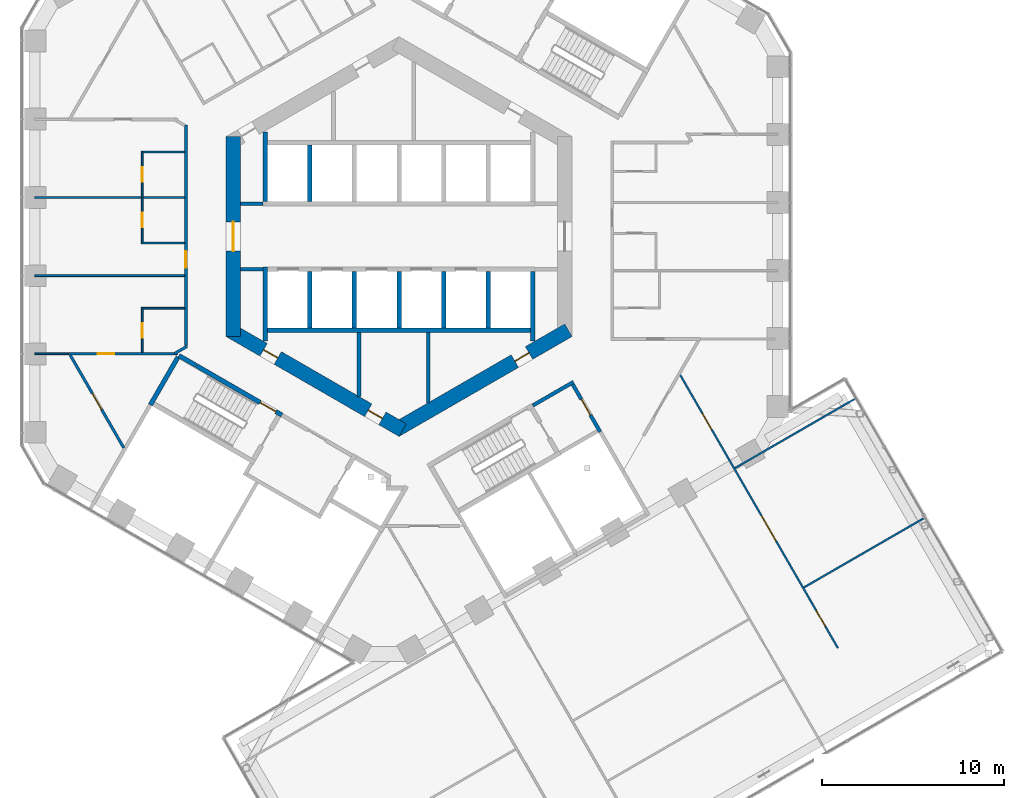
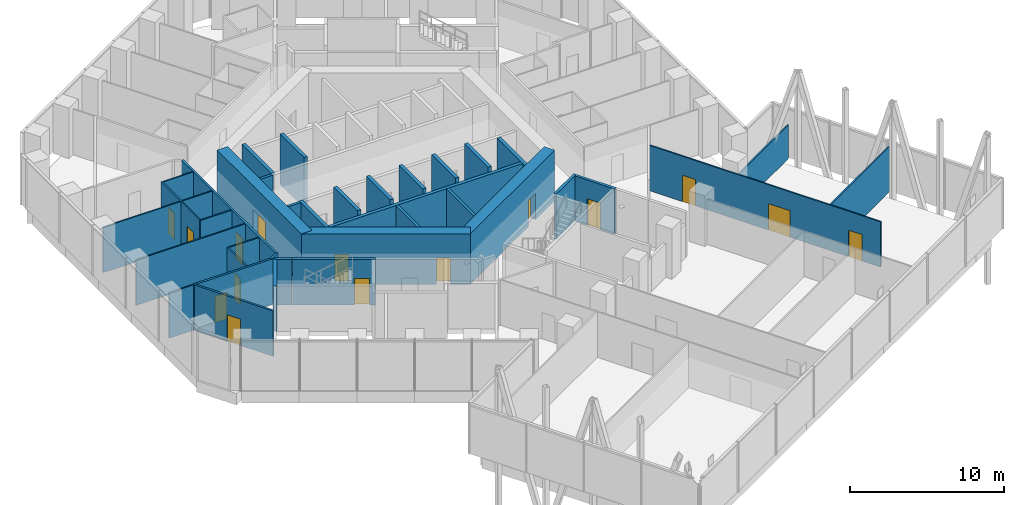
# One storey, part 19 of 27: 37 walls, 15 doors, 15 openings.
"""IFC4 building model written with IfcOpenShell, lengths in metres."""

import ifcopenshell
import ifcopenshell.guid

model = None  # the IFC model being written
_history = None  # IfcOwnerHistory: only IFC2X3 demands one
_inside = {}  # id of a spatial element -> (the spatial element, [elements in it])
_under = {}  # id of a project, library or spatial element -> (it, [spatial elements below it])
_declared = {}  # id of a project -> (the project, [libraries it declares])
_typed = {}  # id of a type object -> (the type object, [elements of that type])
_made_of = {}  # id of a material, layer set ... -> (it, [elements and type objects made of it])


def new_model(schema):
    """Start an empty IFC model of exactly this schema.

    Asked for "IFC4X3", IfcOpenShell would pick the latest addendum, in which some entities
    have other attributes; the version numbers below select the first issue.
    IFC2X3 requires an IfcOwnerHistory on every rooted entity: one is made here for all.
    """
    global model, _history
    if schema == "IFC4X3":
        model = ifcopenshell.file(schema_version=(4, 3, 0, 0))
    else:
        model = ifcopenshell.file(schema=schema)
    _inside.clear()
    _under.clear()
    _declared.clear()
    _typed.clear()
    _made_of.clear()
    _history = None
    if model.schema == "IFC2X3":
        org = make("IfcOrganization", Name="unknown")
        user = make(
            "IfcPersonAndOrganization",
            ThePerson=make("IfcPerson", FamilyName="unknown"),
            TheOrganization=org,
        )
        app = make(
            "IfcApplication",
            ApplicationDeveloper=org,
            Version="unknown",
            ApplicationFullName="unknown",
            ApplicationIdentifier="unknown",
        )
        _history = make(
            "IfcOwnerHistory",
            OwningUser=user,
            OwningApplication=app,
            ChangeAction="ADDED",
            CreationDate=0,
        )
    return model


def make(cls, **values):
    """One entity of the class cls with the attributes given. An attribute that is None is left unset."""
    return model.create_entity(
        cls, **{name: value for name, value in values.items() if value is not None}
    )


def rooted(cls, **values):
    """An entity with a GlobalId (a new one), such as an element, a storey or a relation."""
    return make(cls, GlobalId=ifcopenshell.guid.new(), OwnerHistory=_history, **values)


def si_unit(unit_type, name, prefix=None):
    """IfcSIUnit, for example si_unit("LENGTHUNIT", "METRE", prefix="MILLI")."""
    return make("IfcSIUnit", UnitType=unit_type, Prefix=prefix, Name=name)


def assignment(units):
    """IfcUnitAssignment: the units of a project."""
    return None if units is None else make("IfcUnitAssignment", Units=units)


def point(xyz):
    """IfcCartesianPoint."""
    return None if xyz is None else make("IfcCartesianPoint", Coordinates=xyz)


def direction(xyz):
    """IfcDirection."""
    return None if xyz is None else make("IfcDirection", DirectionRatios=xyz)


def frame(location, z_axis=None, x_axis=None):
    """IfcAxis2Placement3D, a coordinate frame: its origin and axes. An axis left out is left unset."""
    return make(
        "IfcAxis2Placement3D",
        Location=point(location),
        Axis=direction(z_axis),
        RefDirection=direction(x_axis),
    )


def frame_2d(location, x_axis=None):
    """IfcAxis2Placement2D, a coordinate frame in the plane: its origin and x axis."""
    return make(
        "IfcAxis2Placement2D", Location=point(location), RefDirection=direction(x_axis)
    )


def origin():
    """The frame at (0, 0, 0) with its axes left unset."""
    return frame((0.0, 0.0, 0.0))


def place(relative_to, where):
    """IfcLocalPlacement: puts the frame where relative to a parent placement (None: the world)."""
    return make(
        "IfcLocalPlacement", PlacementRelTo=relative_to, RelativePlacement=where
    )


def context(
    kind, dimensions, precision=None, world=None, true_north=None, identifier=None
):
    """IfcGeometricRepresentationContext, for example the 3D "Model" context."""
    return make(
        "IfcGeometricRepresentationContext",
        ContextIdentifier=identifier,
        ContextType=kind,
        CoordinateSpaceDimension=dimensions,
        Precision=precision,
        WorldCoordinateSystem=world,
        TrueNorth=true_north,
    )


def subcontext(parent, identifier, kind, view, scale=None):
    """IfcGeometricRepresentationSubContext, for example "Body" below "Model"."""
    return make(
        "IfcGeometricRepresentationSubContext",
        ContextIdentifier=identifier,
        ContextType=kind,
        ParentContext=parent,
        TargetScale=scale,
        TargetView=view,
    )


def project(units=None, contexts=None):
    """IfcProject with its units and contexts."""
    return rooted(
        "IfcProject",
        Name="project",
        RepresentationContexts=contexts,
        UnitsInContext=assignment(units),
    )


def spatial(cls, under=None, at=None, **own):
    """A site, building, storey or space (cls), placed at a placement, below another one or the project."""
    s = rooted(cls, ObjectPlacement=at, **own)
    if under is not None:
        _under.setdefault(under.id(), (under, []))[1].append(s)
    return s


def profile(cls, at=None, kind="AREA", **sizes):
    """A parametric profile (cls). Its sizes go by their IFC names, for example OverallWidth=200.0."""
    return make(cls, ProfileType=kind, Position=at, **sizes)


def rectangle(**sizes):
    """IfcRectangleProfileDef."""
    return profile("IfcRectangleProfileDef", **sizes)


def extrude(swept, where, along, depth):
    """IfcExtrudedAreaSolid: the profile swept, set in the frame where, extruded along a direction by depth."""
    return make(
        "IfcExtrudedAreaSolid",
        SweptArea=swept,
        Position=where,
        ExtrudedDirection=direction(along),
        Depth=depth,
    )


def shape(context_of_items, identifier, shape_type, items):
    """IfcShapeRepresentation: the items that make up one representation, for example the "Body"."""
    return make(
        "IfcShapeRepresentation",
        ContextOfItems=context_of_items,
        RepresentationIdentifier=identifier,
        RepresentationType=shape_type,
        Items=items,
    )


def material(Name=None, Category=None):
    """IfcMaterial."""
    return make("IfcMaterial", Name=Name, Category=Category)


def layer(
    of_material, thickness, ventilated=None, Name=None, Category=None, Priority=None
):
    """IfcMaterialLayer: one layer of a wall or slab, of a material (None: an air gap)."""
    return make(
        "IfcMaterialLayer",
        Material=of_material,
        LayerThickness=thickness,
        IsVentilated=ventilated,
        Name=Name,
        Category=Category,
        Priority=Priority,
    )


def layer_set(layers, Name=None):
    """IfcMaterialLayerSet."""
    return make("IfcMaterialLayerSet", MaterialLayers=layers, LayerSetName=Name)


def made_of(thing, what):
    """Note that an element or type object is made of a material, layer set ...; save() writes the relation."""
    if what is not None:
        _made_of.setdefault(what.id(), (what, []))[1].append(thing)
    return thing


def type_object(cls, material=None, **own):
    """A type object (cls), such as IfcWallType, which elements share."""
    return made_of(rooted(cls, **own), material)


def element(
    cls,
    number,
    at=None,
    inside=None,
    cuts=None,
    type_object=None,
    material=None,
    context=None,
    identifier="Body",
    shape_type=None,
    held_by="IfcProductDefinitionShape",
    body=None,
    shapes=None,
    **own,
):
    """One element of the class cls, such as IfcWall. Its Tag is "e" and its number.

    at: its placement. inside: the storey or other place that contains it. cuts: it is an
    opening in that element (IfcRelVoidsElement). A single representation is given by context,
    identifier, shape_type and body (its items); several are given by shapes. held_by: the class
    of the entity that holds the representations. save() writes the other relations.
    """
    e = rooted(cls, Tag="e%d" % number, ObjectPlacement=at, **own)
    if body is not None:
        shapes = [shape(context, identifier, shape_type, body)]
    if shapes is not None:
        e.Representation = make(held_by, Representations=shapes)
    if inside is not None:
        _inside.setdefault(inside.id(), (inside, []))[1].append(e)
    if cuts is not None:
        rooted(
            "IfcRelVoidsElement", RelatingBuildingElement=cuts, RelatedOpeningElement=e
        )
    if type_object is not None:
        _typed.setdefault(type_object.id(), (type_object, []))[1].append(e)
    return made_of(e, material)


def fill(opening, filler):
    """IfcRelFillsElement: the door or window that sits in an opening."""
    return rooted(
        "IfcRelFillsElement",
        RelatingOpeningElement=opening,
        RelatedBuildingElement=filler,
    )


def aggregate(whole, parts):
    """IfcRelAggregates: a whole, such as a stair, and the parts it consists of."""
    return rooted("IfcRelAggregates", RelatingObject=whole, RelatedObjects=parts)


def save(model, path):
    """Write the relations noted so far, then the file.

    IfcRelAggregates (storeys below a building ...), IfcRelContainedInSpatialStructure (elements
    in a storey), IfcRelDefinesByType, IfcRelAssociatesMaterial and IfcRelDeclares: one each for
    every whole, place, type object, material and project.
    """
    for whole, parts in _under.values():
        aggregate(whole, parts)
    for where, things in _inside.values():
        rooted(
            "IfcRelContainedInSpatialStructure",
            RelatedElements=things,
            RelatingStructure=where,
        )
    for kind, things in _typed.values():
        rooted("IfcRelDefinesByType", RelatedObjects=things, RelatingType=kind)
    for what, things in _made_of.values():
        rooted("IfcRelAssociatesMaterial", RelatedObjects=things, RelatingMaterial=what)
    for by, libraries in _declared.values():
        rooted("IfcRelDeclares", RelatingContext=by, RelatedDefinitions=libraries)
    model.write(path)


model = new_model("IFC4")

# Units and contexts
model_context = context("Model", 3, precision=1e-05, world=origin(), true_north=direction((0.0, 1.0)))
body_context = subcontext(model_context, "Body", "Model", "MODEL_VIEW")
ifc_project = project(units=[si_unit("LENGTHUNIT", "METRE"), si_unit("AREAUNIT", "SQUARE_METRE"), si_unit("VOLUMEUNIT", "CUBIC_METRE"), si_unit("PLANEANGLEUNIT", "RADIAN"), si_unit("MASSUNIT", "GRAM", prefix="KILO")], contexts=[model_context])

# Site, building, storey
site_placement = place(None, origin())
site = spatial("IfcSite", under=ifc_project, at=site_placement, CompositionType="ELEMENT")
building_placement = place(site_placement, origin())
building = spatial("IfcBuilding", under=site, at=building_placement, Name="Ayvan Gate Tower", CompositionType="ELEMENT")
storey_placement = place(building_placement, frame((0.0, 0.0, 70.300048828125)))
storey = spatial("IfcBuildingStorey", under=building, at=storey_placement, Name="L18", CompositionType="ELEMENT", Elevation=70.300048828125)

# Wall, opening, door
ifc_material_1 = material(Name="Concrete C70/85", Category="concrete")
ifc_layer_1 = layer(ifc_material_1, 0.800048828125)
ifc_layer_set_1 = layer_set([ifc_layer_1], Name="Concrete C70/85")
wall_type_1 = type_object("IfcWallType", Name="Core wall 800 C70/85", PredefinedType="SHEAR", material=ifc_layer_set_1)
wall_1_placement = place(storey_placement, frame((-9.10009765625, 5.48486328125, 0.0), z_axis=(0.0, 0.0, 1.0), x_axis=(0.0, -1.0, 0.0)))
wall_1 = element("IfcWall", 1, at=wall_1_placement, inside=storey, type_object=wall_type_1, Name="CORE-L18-3", PredefinedType="SHEAR", context=body_context, shape_type="SweptSolid", body=[
    extrude(rectangle(XDim=10.9697265625, YDim=0.800048828125, at=frame_2d((5.48486328125, 0.0))), origin(), (0.0, 0.0, 1.0), 4.0),
])
opening_1_placement = place(wall_1_placement, frame((4.684814453125, 0.0, 0.0)))
opening_1 = element("IfcOpeningElement", 2, at=opening_1_placement, cuts=wall_1, Name="Opening L18-D58", PredefinedType="OPENING", context=body_context, shape_type="SweptSolid", body=[
    extrude(rectangle(XDim=1.60009765625, YDim=2.10009765625, at=frame_2d((0.800048828125, 1.050048828125))), frame((0.0, 0.409912109375, 0.0), z_axis=(0.0, -1.0, 0.0), x_axis=(1.0, 0.0, 0.0)), (0.0, 0.0, 1.0), 0.820068359375),
])
ifc_material_2 = material(Name="Timber door leaf", Category="wood")
door_type_1 = type_object("IfcDoorType", Name="DT-1600", OperationType="NOTDEFINED", PredefinedType="DOOR", material=ifc_material_2)
door_1_placement = place(opening_1_placement, origin())
door_1 = element("IfcDoor", 3, at=door_1_placement, inside=storey, type_object=door_type_1, Name="CD-L18-58", OperationType="SINGLE_SWING_RIGHT", OverallHeight=2.10009765625, OverallWidth=1.60009765625, PredefinedType="DOOR", context=body_context, shape_type="SweptSolid", body=[
    extrude(rectangle(XDim=1.60009765625, YDim=2.10009765625, at=frame_2d((0.800048828125, 1.050048828125))), frame((0.0, 0.02490234375, 0.0), z_axis=(0.0, -1.0, 0.0), x_axis=(1.0, 0.0, 0.0)), (0.0, 0.0, 1.0), 0.050048828125),
])
fill(opening_1, door_1)

# Wall, openings, doors
wall_2_placement = place(storey_placement, frame((-9.300048828125, -5.138427734375, 0.0), z_axis=(0.0, 0.0, 1.0), x_axis=(0.866023993627, -0.500002442456, 0.0)))
wall_2 = element("IfcWall", 4, at=wall_2_placement, inside=storey, type_object=wall_type_1, Name="CORE-L18-4", PredefinedType="SHEAR", context=body_context, shape_type="SweptSolid", body=[
    extrude(rectangle(XDim=10.9697265625, YDim=0.800048828125, at=frame_2d((5.48486328125, 0.0))), origin(), (0.0, 0.0, 1.0), 4.0),
])
opening_2_placement = place(wall_2_placement, frame((2.1533203125, 0.0, 0.0)))
opening_2 = element("IfcOpeningElement", 5, at=opening_2_placement, cuts=wall_2, Name="Opening L18-D54", PredefinedType="OPENING", context=body_context, shape_type="SweptSolid", body=[
    extrude(rectangle(XDim=0.89990234375, YDim=2.10009765625, at=frame_2d((0.449951171875, 1.050048828125))), frame((0.0, 0.409912109375, 0.0), z_axis=(0.0, -1.0, 0.0), x_axis=(1.0, 0.0, 0.0)), (0.0, 0.0, 1.0), 0.820068359375),
])
opening_3_placement = place(wall_2_placement, frame((8.787109375, 0.0, 0.0)))
opening_3 = element("IfcOpeningElement", 6, at=opening_3_placement, cuts=wall_2, Name="Opening L18-D55", PredefinedType="OPENING", context=body_context, shape_type="SweptSolid", body=[
    extrude(rectangle(XDim=0.89990234375, YDim=2.10009765625, at=frame_2d((0.449951171875, 1.050048828125))), frame((0.0, 0.409912109375, 0.0), z_axis=(0.0, -1.0, 0.0), x_axis=(1.0, 0.0, 0.0)), (0.0, 0.0, 1.0), 0.820068359375),
])
door_type_2 = type_object("IfcDoorType", Name="DT-900", OperationType="NOTDEFINED", PredefinedType="DOOR", material=ifc_material_2)
door_2_placement = place(opening_2_placement, origin())
door_2 = element("IfcDoor", 7, at=door_2_placement, inside=storey, type_object=door_type_2, Name="CD-L18-54", OperationType="SINGLE_SWING_RIGHT", OverallHeight=2.10009765625, OverallWidth=0.89990234375, PredefinedType="DOOR", context=body_context, shape_type="SweptSolid", body=[
    extrude(rectangle(XDim=0.89990234375, YDim=2.10009765625, at=frame_2d((0.449951171875, 1.050048828125))), frame((0.0, 0.02490234375, 0.0), z_axis=(0.0, -1.0, 0.0), x_axis=(1.0, 0.0, 0.0)), (0.0, 0.0, 1.0), 0.050048828125),
])
fill(opening_2, door_2)
door_3_placement = place(opening_3_placement, origin())
door_3 = element("IfcDoor", 8, at=door_3_placement, inside=storey, type_object=door_type_2, Name="CD-L18-55", OperationType="SINGLE_SWING_LEFT", OverallHeight=2.10009765625, OverallWidth=0.89990234375, PredefinedType="DOOR", context=body_context, shape_type="SweptSolid", body=[
    extrude(rectangle(XDim=0.89990234375, YDim=2.10009765625, at=frame_2d((0.449951171875, 1.050048828125))), frame((0.0, 0.02490234375, 0.0), z_axis=(0.0, -1.0, 0.0), x_axis=(1.0, 0.0, 0.0)), (0.0, 0.0, 1.0), 0.050048828125),
])
fill(opening_3, door_3)

# Wall, opening, door
wall_3_placement = place(storey_placement, frame((-0.199951171875, -10.623291015625, 0.0), z_axis=(0.0, 0.0, 1.0), x_axis=(0.866023993627, 0.500002442456, 0.0)))
wall_3 = element("IfcWall", 9, at=wall_3_placement, inside=storey, type_object=wall_type_1, Name="CORE-L18-5", PredefinedType="SHEAR", context=body_context, shape_type="SweptSolid", body=[
    extrude(rectangle(XDim=10.9697265625, YDim=0.800048828125, at=frame_2d((5.48486328125, 0.0))), origin(), (0.0, 0.0, 1.0), 4.0),
])
opening_4_placement = place(wall_3_placement, frame((7.570068359375, 0.0, 0.0)))
opening_4 = element("IfcOpeningElement", 10, at=opening_4_placement, cuts=wall_3, Name="Opening L18-D56", PredefinedType="OPENING", context=body_context, shape_type="SweptSolid", body=[
    extrude(rectangle(XDim=0.89990234375, YDim=2.10009765625, at=frame_2d((0.449951171875, 1.050048828125))), frame((0.0, 0.409912109375, 0.0), z_axis=(0.0, -1.0, 0.0), x_axis=(1.0, 0.0, 0.0)), (0.0, 0.0, 1.0), 0.820068359375),
])
door_4_placement = place(opening_4_placement, origin())
door_4 = element("IfcDoor", 11, at=door_4_placement, inside=storey, type_object=door_type_2, Name="CD-L18-56", OperationType="SINGLE_SWING_RIGHT", OverallHeight=2.10009765625, OverallWidth=0.89990234375, PredefinedType="DOOR", context=body_context, shape_type="SweptSolid", body=[
    extrude(rectangle(XDim=0.89990234375, YDim=2.10009765625, at=frame_2d((0.449951171875, 1.050048828125))), frame((0.0, 0.02490234375, 0.0), z_axis=(0.0, -1.0, 0.0), x_axis=(1.0, 0.0, 0.0)), (0.0, 0.0, 1.0), 0.050048828125),
])
fill(opening_4, door_4)

ifc_material_3 = material(Name="Plasterboard on steel stud", Category="steel")
ifc_layer_2 = layer(ifc_material_3, 0.14990234375)
ifc_layer_set_2 = layer_set([ifc_layer_2], Name="Plasterboard on steel stud")
wall_type_2 = type_object("IfcWallType", Name="WT-CORR-150", PredefinedType="PARTITIONING", material=ifc_layer_set_2)
wall_4_placement = place(storey_placement, frame((-18.16748046875, -6.431640625, 0.0), z_axis=(0.0, 0.0, 1.0), x_axis=(1.0, 0.0, 0.0)))
wall_4 = element("IfcWall", 12, at=wall_4_placement, inside=storey, type_object=wall_type_2, Name="IW-L18-003", PredefinedType="PARTITIONING", context=body_context, shape_type="SweptSolid", body=[
    extrude(rectangle(XDim=6.00927734375, YDim=0.14990234375, at=frame_2d((3.004638671875, 0.0))), origin(), (0.0, 0.0, 1.0), 3.599853515625),
])
opening_5_placement = place(wall_4_placement, frame((1.62353515625, 0.0, 0.0)))
opening_5 = element("IfcOpeningElement", 13, at=opening_5_placement, cuts=wall_4, Name="Opening L18-D31", PredefinedType="OPENING", context=body_context, shape_type="SweptSolid", body=[
    extrude(rectangle(XDim=0.89990234375, YDim=2.10009765625, at=frame_2d((0.449951171875, 1.050048828125))), frame((0.0, 0.0849609375, 0.0), z_axis=(0.0, -1.0, 0.0), x_axis=(1.0, 0.0, 0.0)), (0.0, 0.0, 1.0), 0.169921875),
])
door_5_placement = place(opening_5_placement, origin())
door_5 = element("IfcDoor", 14, at=door_5_placement, inside=storey, type_object=door_type_2, Name="ID-L18-031", OperationType="SINGLE_SWING_LEFT", OverallHeight=2.10009765625, OverallWidth=0.89990234375, PredefinedType="DOOR", context=body_context, shape_type="SweptSolid", body=[
    extrude(rectangle(XDim=0.89990234375, YDim=2.10009765625, at=frame_2d((0.449951171875, 1.050048828125))), frame((0.0, 0.02490234375, 0.0), z_axis=(0.0, -1.0, 0.0), x_axis=(1.0, 0.0, 0.0)), (0.0, 0.0, 1.0), 0.050048828125),
])
fill(opening_5, door_5)

wall_5_placement = place(storey_placement, frame((-15.10986328125, -11.597900390625, 0.0), z_axis=(0.0, 0.0, 1.0), x_axis=(-0.499977187055, 0.866038574444, 0.0)))
wall_5 = element("IfcWall", 15, at=wall_5_placement, inside=storey, type_object=wall_type_2, Name="IW-L18-006", PredefinedType="PARTITIONING", context=body_context, shape_type="SweptSolid", body=[
    extrude(rectangle(XDim=5.890380859375, YDim=0.14990234375, at=frame_2d((2.9453125, 0.0))), origin(), (0.0, 0.0, 1.0), 3.599853515625),
])
opening_6_placement = place(wall_5_placement, frame((2.4453125, 0.0, 0.0)))
opening_6 = element("IfcOpeningElement", 16, at=opening_6_placement, cuts=wall_5, Name="Opening L18-D33", PredefinedType="OPENING", context=body_context, shape_type="SweptSolid", body=[
    extrude(rectangle(XDim=1.0, YDim=2.10009765625, at=frame_2d((0.5, 1.050048828125))), frame((0.0, 0.0849609375, 0.0), z_axis=(0.0, -1.0, 0.0), x_axis=(1.0, 0.0, 0.0)), (0.0, 0.0, 1.0), 0.169921875),
])
door_type_3 = type_object("IfcDoorType", Name="DT-1000", OperationType="NOTDEFINED", PredefinedType="DOOR", material=ifc_material_2)
door_6_placement = place(opening_6_placement, origin())
door_6 = element("IfcDoor", 17, at=door_6_placement, inside=storey, type_object=door_type_3, Name="ID-L18-033", OperationType="SINGLE_SWING_LEFT", OverallHeight=2.10009765625, OverallWidth=1.0, PredefinedType="DOOR", context=body_context, shape_type="SweptSolid", body=[
    extrude(rectangle(XDim=1.0, YDim=2.10009765625, at=frame_2d((0.5, 1.050048828125))), frame((0.0, 0.02490234375, 0.0), z_axis=(0.0, -1.0, 0.0), x_axis=(1.0, 0.0, 0.0)), (0.0, 0.0, 1.0), 0.050048828125),
])
fill(opening_6, door_6)

# Wall
wall_6_placement = place(storey_placement, frame((-12.32470703125, -6.4228515625, 0.0), z_axis=(0.0, 0.0, 1.0), x_axis=(0.86602732995, 0.499996663769, 0.0)))
element("IfcWall", 18, at=wall_6_placement, inside=storey, type_object=wall_type_2, Name="IW-L18-014", PredefinedType="PARTITIONING", context=body_context, shape_type="SweptSolid", body=[
    extrude(rectangle(XDim=0.79638671875, YDim=0.14990234375, at=frame_2d((0.398193359375, 0.0))), origin(), (0.0, 0.0, 1.0), 3.599853515625),
])

# Wall, opening, door
wall_7_placement = place(storey_placement, frame((-11.699951171875, 6.13720703125, 0.0), z_axis=(0.0, 0.0, 1.0), x_axis=(0.0, -1.0, 0.0)))
wall_7 = element("IfcWall", 19, at=wall_7_placement, inside=storey, type_object=wall_type_2, Name="IW-L18-020", PredefinedType="PARTITIONING", context=body_context, shape_type="SweptSolid", body=[
    extrude(rectangle(XDim=12.12451171875, YDim=0.14990234375, at=frame_2d((6.062255859375, 0.0))), origin(), (0.0, 0.0, 1.0), 3.599853515625),
])
opening_7_placement = place(wall_7_placement, frame((6.937255859375, 0.0, 0.0)))
opening_7 = element("IfcOpeningElement", 20, at=opening_7_placement, cuts=wall_7, Name="Opening L18-D29", PredefinedType="OPENING", context=body_context, shape_type="SweptSolid", body=[
    extrude(rectangle(XDim=0.89990234375, YDim=2.10009765625, at=frame_2d((0.449951171875, 1.050048828125))), frame((0.0, 0.0849609375, 0.0), z_axis=(0.0, -1.0, 0.0), x_axis=(1.0, 0.0, 0.0)), (0.0, 0.0, 1.0), 0.169921875),
])
door_7_placement = place(opening_7_placement, origin())
door_7 = element("IfcDoor", 21, at=door_7_placement, inside=storey, type_object=door_type_2, Name="ID-L18-029", OperationType="SINGLE_SWING_LEFT", OverallHeight=2.10009765625, OverallWidth=0.89990234375, PredefinedType="DOOR", context=body_context, shape_type="SweptSolid", body=[
    extrude(rectangle(XDim=0.89990234375, YDim=2.10009765625, at=frame_2d((0.449951171875, 1.050048828125))), frame((0.0, 0.02490234375, 0.0), z_axis=(0.0, -1.0, 0.0), x_axis=(1.0, 0.0, 0.0)), (0.0, 0.0, 1.0), 0.050048828125),
])
fill(opening_7, door_7)

# Wall
ifc_layer_3 = layer(ifc_material_3, 0.10009765625)
ifc_layer_set_3 = layer_set([ifc_layer_3], Name="Plasterboard on steel stud")
wall_type_3 = type_object("IfcWallType", Name="WT-PART-100", PredefinedType="PARTITIONING", material=ifc_layer_set_3)
wall_8_placement = place(storey_placement, frame((-18.16748046875, -6.431640625, 0.0), z_axis=(0.0, 0.0, 1.0), x_axis=(-1.0, 0.0, 0.0)))
element("IfcWall", 22, at=wall_8_placement, inside=storey, type_object=wall_type_3, Name="IW-L18-002", PredefinedType="PARTITIONING", context=body_context, shape_type="SweptSolid", body=[
    extrude(rectangle(XDim=1.835205078125, YDim=0.10009765625, at=frame_2d((0.91748046875, 0.0))), origin(), (0.0, 0.0, 1.0), 3.599853515625),
])

# Wall, opening, door
wall_9_placement = place(storey_placement, frame((-14.10009765625, -3.881591796875, 0.0), z_axis=(0.0, 0.0, 1.0), x_axis=(0.0, -1.0, 0.0)))
wall_9 = element("IfcWall", 23, at=wall_9_placement, inside=storey, type_object=wall_type_3, Name="IW-L18-008", PredefinedType="PARTITIONING", context=body_context, shape_type="SweptSolid", body=[
    extrude(rectangle(XDim=2.47509765625, YDim=0.10009765625, at=frame_2d((1.237548828125, 0.0))), origin(), (0.0, 0.0, 1.0), 3.599853515625),
])
opening_8_placement = place(wall_9_placement, frame((0.862548828125, 0.0, 0.0)))
opening_8 = element("IfcOpeningElement", 24, at=opening_8_placement, cuts=wall_9, Name="Opening L18-D32", PredefinedType="OPENING", context=body_context, shape_type="SweptSolid", body=[
    extrude(rectangle(XDim=0.800048828125, YDim=2.10009765625, at=frame_2d((0.39990234375, 1.050048828125))), frame((0.0, 0.06005859375, 0.0), z_axis=(0.0, -1.0, 0.0), x_axis=(1.0, 0.0, 0.0)), (0.0, 0.0, 1.0), 0.1201171875),
])
door_type_4 = type_object("IfcDoorType", Name="DT-800", OperationType="NOTDEFINED", PredefinedType="DOOR", material=ifc_material_2)
door_8_placement = place(opening_8_placement, origin())
door_8 = element("IfcDoor", 25, at=door_8_placement, inside=storey, type_object=door_type_4, Name="ID-L18-032", OperationType="SINGLE_SWING_RIGHT", OverallHeight=2.10009765625, OverallWidth=0.800048828125, PredefinedType="DOOR", context=body_context, shape_type="SweptSolid", body=[
    extrude(rectangle(XDim=0.800048828125, YDim=2.10009765625, at=frame_2d((0.39990234375, 1.050048828125))), frame((0.0, 0.02490234375, 0.0), z_axis=(0.0, -1.0, 0.0), x_axis=(1.0, 0.0, 0.0)), (0.0, 0.0, 1.0), 0.050048828125),
])
fill(opening_8, door_8)

# Wall
wall_10_placement = place(storey_placement, frame((-14.14990234375, -0.356201171875, 0.0), z_axis=(0.0, 0.0, 1.0), x_axis=(1.0, 0.0, 0.0)))
element("IfcWall", 26, at=wall_10_placement, inside=storey, type_object=wall_type_3, Name="IW-L18-009", PredefinedType="PARTITIONING", context=body_context, shape_type="SweptSolid", body=[
    extrude(rectangle(XDim=2.375, YDim=0.10009765625, at=frame_2d((1.1875, 0.0))), origin(), (0.0, 0.0, 1.0), 3.599853515625),
])

# Wall, openings, doors
wall_11_placement = place(storey_placement, frame((-14.10009765625, -0.30615234375, 0.0), z_axis=(0.0, 0.0, 1.0), x_axis=(0.0, 1.0, 0.0)))
wall_11 = element("IfcWall", 27, at=wall_11_placement, inside=storey, type_object=wall_type_3, Name="IW-L18-010", PredefinedType="PARTITIONING", context=body_context, shape_type="SweptSolid", body=[
    extrude(rectangle(XDim=5.0, YDim=0.10009765625, at=frame_2d((2.5, 0.0))), origin(), (0.0, 0.0, 1.0), 3.599853515625),
])
opening_9_placement = place(wall_11_placement, frame((3.31494140625, 0.0, 0.0)))
opening_9 = element("IfcOpeningElement", 28, at=opening_9_placement, cuts=wall_11, Name="Opening L18-D28", PredefinedType="OPENING", context=body_context, shape_type="SweptSolid", body=[
    extrude(rectangle(XDim=0.800048828125, YDim=2.10009765625, at=frame_2d((0.39990234375, 1.050048828125))), frame((0.0, 0.06005859375, 0.0), z_axis=(0.0, -1.0, 0.0), x_axis=(1.0, 0.0, 0.0)), (0.0, 0.0, 1.0), 0.1201171875),
])
opening_10_placement = place(wall_11_placement, frame((0.81005859375, 0.0, 0.0)))
opening_10 = element("IfcOpeningElement", 29, at=opening_10_placement, cuts=wall_11, Name="Opening L18-D30", PredefinedType="OPENING", context=body_context, shape_type="SweptSolid", body=[
    extrude(rectangle(XDim=0.800048828125, YDim=2.10009765625, at=frame_2d((0.39990234375, 1.050048828125))), frame((0.0, 0.06005859375, 0.0), z_axis=(0.0, -1.0, 0.0), x_axis=(1.0, 0.0, 0.0)), (0.0, 0.0, 1.0), 0.1201171875),
])
door_9_placement = place(opening_9_placement, origin())
door_9 = element("IfcDoor", 30, at=door_9_placement, inside=storey, type_object=door_type_4, Name="ID-L18-028", OperationType="SINGLE_SWING_RIGHT", OverallHeight=2.10009765625, OverallWidth=0.800048828125, PredefinedType="DOOR", context=body_context, shape_type="SweptSolid", body=[
    extrude(rectangle(XDim=0.800048828125, YDim=2.10009765625, at=frame_2d((0.39990234375, 1.050048828125))), frame((0.0, 0.02490234375, 0.0), z_axis=(0.0, -1.0, 0.0), x_axis=(1.0, 0.0, 0.0)), (0.0, 0.0, 1.0), 0.050048828125),
])
fill(opening_9, door_9)
door_10_placement = place(opening_10_placement, origin())
door_10 = element("IfcDoor", 31, at=door_10_placement, inside=storey, type_object=door_type_4, Name="ID-L18-030", OperationType="SINGLE_SWING_RIGHT", OverallHeight=2.10009765625, OverallWidth=0.800048828125, PredefinedType="DOOR", context=body_context, shape_type="SweptSolid", body=[
    extrude(rectangle(XDim=0.800048828125, YDim=2.10009765625, at=frame_2d((0.39990234375, 1.050048828125))), frame((0.0, 0.02490234375, 0.0), z_axis=(0.0, -1.0, 0.0), x_axis=(1.0, 0.0, 0.0)), (0.0, 0.0, 1.0), 0.050048828125),
])
fill(opening_10, door_10)

# Walls
wall_12_placement = place(storey_placement, frame((-20.002685546875, 2.143798828125, 0.0), z_axis=(0.0, 0.0, 1.0), x_axis=(1.0, 0.0, 0.0)))
element("IfcWall", 32, at=wall_12_placement, inside=storey, type_object=wall_type_3, Name="IW-L18-011", PredefinedType="PARTITIONING", context=body_context, shape_type="SweptSolid", body=[
    extrude(rectangle(XDim=8.227783203125, YDim=0.10009765625, at=frame_2d((4.11376953125, 0.0))), origin(), (0.0, 0.0, 1.0), 3.599853515625),
])
wall_13_placement = place(storey_placement, frame((-11.77490234375, -3.931640625, 0.0), z_axis=(0.0, 0.0, 1.0), x_axis=(-1.0, 0.0, 0.0)))
element("IfcWall", 33, at=wall_13_placement, inside=storey, type_object=wall_type_3, Name="IW-L18-018", PredefinedType="PARTITIONING", context=body_context, shape_type="SweptSolid", body=[
    extrude(rectangle(XDim=2.275146484375, YDim=0.10009765625, at=frame_2d((1.1376953125, 0.0))), origin(), (0.0, 0.0, 1.0), 3.599853515625),
])
wall_14_placement = place(storey_placement, frame((-11.77490234375, -2.143798828125, 0.0), z_axis=(0.0, 0.0, 1.0), x_axis=(-1.0, 0.0, 0.0)))
element("IfcWall", 34, at=wall_14_placement, inside=storey, type_object=wall_type_3, Name="IW-L18-019", PredefinedType="PARTITIONING", context=body_context, shape_type="SweptSolid", body=[
    extrude(rectangle(XDim=8.227783203125, YDim=0.10009765625, at=frame_2d((4.11376953125, 0.0))), origin(), (0.0, 0.0, 1.0), 3.599853515625),
])
wall_15_placement = place(storey_placement, frame((-11.77490234375, 4.643798828125, 0.0), z_axis=(0.0, 0.0, 1.0), x_axis=(-1.0, 0.0, 0.0)))
element("IfcWall", 35, at=wall_15_placement, inside=storey, type_object=wall_type_3, Name="IW-L18-021", PredefinedType="PARTITIONING", context=body_context, shape_type="SweptSolid", body=[
    extrude(rectangle(XDim=2.275146484375, YDim=0.10009765625, at=frame_2d((1.1376953125, 0.0))), origin(), (0.0, 0.0, 1.0), 3.599853515625),
])

# Wall, openings, doors
wall_16_placement = place(storey_placement, frame((15.424560546875, -7.58251953125, 0.0), z_axis=(0.0, 0.0, 1.0), x_axis=(0.499995650065, -0.866027915206, 0.0)))
wall_16 = element("IfcWall", 36, at=wall_16_placement, inside=storey, type_object=wall_type_3, Name="IW-L18-128", PredefinedType="PARTITIONING", context=body_context, shape_type="SweptSolid", body=[
    extrude(rectangle(XDim=17.327880859375, YDim=0.10009765625, at=frame_2d((8.6640625, 0.0))), origin(), (0.0, 0.0, 1.0), 3.599853515625),
])
opening_11_placement = place(wall_16_placement, frame((2.4580078125, 0.0, 0.0)))
opening_11 = element("IfcOpeningElement", 37, at=opening_11_placement, cuts=wall_16, Name="Opening L18-D42", PredefinedType="OPENING", context=body_context, shape_type="SweptSolid", body=[
    extrude(rectangle(XDim=1.0, YDim=2.10009765625, at=frame_2d((0.5, 1.050048828125))), frame((0.0, 0.06005859375, 0.0), z_axis=(0.0, -1.0, 0.0), x_axis=(1.0, 0.0, 0.0)), (0.0, 0.0, 1.0), 0.1201171875),
])
opening_12_placement = place(wall_16_placement, frame((8.928955078125, 0.0, 0.0)))
opening_12 = element("IfcOpeningElement", 38, at=opening_12_placement, cuts=wall_16, Name="Opening L18-D44", PredefinedType="OPENING", context=body_context, shape_type="SweptSolid", body=[
    extrude(rectangle(XDim=1.60009765625, YDim=2.10009765625, at=frame_2d((0.800048828125, 1.050048828125))), frame((0.0, 0.06005859375, 0.0), z_axis=(0.0, -1.0, 0.0), x_axis=(1.0, 0.0, 0.0)), (0.0, 0.0, 1.0), 0.1201171875),
])
opening_13_placement = place(wall_16_placement, frame((14.9345703125, 0.0, 0.0)))
opening_13 = element("IfcOpeningElement", 39, at=opening_13_placement, cuts=wall_16, Name="Opening L18-D46", PredefinedType="OPENING", context=body_context, shape_type="SweptSolid", body=[
    extrude(rectangle(XDim=1.0, YDim=2.10009765625, at=frame_2d((0.5, 1.050048828125))), frame((0.0, 0.06005859375, 0.0), z_axis=(0.0, -1.0, 0.0), x_axis=(1.0, 0.0, 0.0)), (0.0, 0.0, 1.0), 0.1201171875),
])
door_11_placement = place(opening_11_placement, origin())
door_11 = element("IfcDoor", 40, at=door_11_placement, inside=storey, type_object=door_type_3, Name="ID-L18-042", OperationType="SINGLE_SWING_RIGHT", OverallHeight=2.10009765625, OverallWidth=1.0, PredefinedType="DOOR", context=body_context, shape_type="SweptSolid", body=[
    extrude(rectangle(XDim=1.0, YDim=2.10009765625, at=frame_2d((0.5, 1.050048828125))), frame((0.0, 0.02490234375, 0.0), z_axis=(0.0, -1.0, 0.0), x_axis=(1.0, 0.0, 0.0)), (0.0, 0.0, 1.0), 0.050048828125),
])
fill(opening_11, door_11)
door_12_placement = place(opening_13_placement, origin())
door_12 = element("IfcDoor", 41, at=door_12_placement, inside=storey, type_object=door_type_3, Name="ID-L18-046", OperationType="SINGLE_SWING_RIGHT", OverallHeight=2.10009765625, OverallWidth=1.0, PredefinedType="DOOR", context=body_context, shape_type="SweptSolid", body=[
    extrude(rectangle(XDim=1.0, YDim=2.10009765625, at=frame_2d((0.5, 1.050048828125))), frame((0.0, 0.02490234375, 0.0), z_axis=(0.0, -1.0, 0.0), x_axis=(1.0, 0.0, 0.0)), (0.0, 0.0, 1.0), 0.050048828125),
])
fill(opening_13, door_12)
door_13_placement = place(opening_12_placement, origin())
door_13 = element("IfcDoor", 42, at=door_13_placement, inside=storey, type_object=door_type_1, Name="ID-L18-044", OperationType="SINGLE_SWING_RIGHT", OverallHeight=2.10009765625, OverallWidth=1.60009765625, PredefinedType="DOOR", context=body_context, shape_type="SweptSolid", body=[
    extrude(rectangle(XDim=1.60009765625, YDim=2.10009765625, at=frame_2d((0.800048828125, 1.050048828125))), frame((0.0, 0.02490234375, 0.0), z_axis=(0.0, -1.0, 0.0), x_axis=(1.0, 0.0, 0.0)), (0.0, 0.0, 1.0), 0.050048828125),
])
fill(opening_12, door_13)

# Walls
wall_17_placement = place(storey_placement, frame((25.004638671875, -8.91748046875, 0.0), z_axis=(0.0, 0.0, 1.0), x_axis=(-0.866026268399, -0.49999850244, 0.0)))
element("IfcWall", 43, at=wall_17_placement, inside=storey, type_object=wall_type_3, Name="IW-L18-138", PredefinedType="PARTITIONING", context=body_context, shape_type="SweptSolid", body=[
    extrude(rectangle(XDim=7.5791015625, YDim=0.10009765625, at=frame_2d((3.78955078125, 0.0))), origin(), (0.0, 0.0, 1.0), 2.675048828125),
])
wall_18_placement = place(storey_placement, frame((28.78759765625, -15.469482421875, 0.0), z_axis=(0.0, 0.0, 1.0), x_axis=(-0.866034321076, -0.49998455448, 0.0)))
element("IfcWall", 44, at=wall_18_placement, inside=storey, type_object=wall_type_3, Name="IW-L18-139", PredefinedType="PARTITIONING", context=body_context, shape_type="SweptSolid", body=[
    extrude(rectangle(XDim=7.579345703125, YDim=0.10009765625, at=frame_2d((3.78955078125, 0.0))), origin(), (0.0, 0.0, 1.0), 3.599853515625),
])
ifc_layer_4 = layer(ifc_material_3, 0.199951171875)
ifc_layer_set_4 = layer_set([ifc_layer_4], Name="Plasterboard on steel stud")
wall_type_4 = type_object("IfcWallType", Name="WT-RATED-200", PredefinedType="PARTITIONING", material=ifc_layer_set_4)
for number, where, z_axis, x_axis, name in (
    (45, (-8.699951171875, 1.800048828125, 0.0), (0.0, 0.0, 1.0), (1.0, 0.0, 0.0), "IW-L18-027"),
    (46, (-7.474853515625, -1.800048828125, 0.0), (0.0, 0.0, 1.0), (-1.0, 0.0, 0.0), "IW-L18-037"),
):
    element("IfcWall", number, at=place(storey_placement, frame(where, z_axis=z_axis, x_axis=x_axis)), inside=storey, type_object=wall_type_4, Name=name, PredefinedType="PARTITIONING", context=body_context, shape_type="SweptSolid", body=[
        extrude(rectangle(XDim=1.22509765625, YDim=0.199951171875, at=frame_2d((0.612548828125, 0.0))), origin(), (0.0, 0.0, 1.0), 3.599853515625),
    ])
wall_19_placement = place(storey_placement, frame((-2.199951171875, -5.27490234375, 0.0), z_axis=(0.0, 0.0, 1.0), x_axis=(0.0, -1.0, 0.0)))
element("IfcWall", 47, at=wall_19_placement, inside=storey, type_object=wall_type_4, Name="IW-L18-057", PredefinedType="PARTITIONING", context=body_context, shape_type="SweptSolid", body=[
    extrude(rectangle(XDim=3.500732421875, YDim=0.199951171875, at=frame_2d((1.75048828125, 0.0))), origin(), (0.0, 0.0, 1.0), 3.599853515625),
])
wall_20_placement = place(storey_placement, frame((1.60009765625, -5.27490234375, 0.0), z_axis=(0.0, 0.0, 1.0), x_axis=(0.0, -1.0, 0.0)))
element("IfcWall", 48, at=wall_20_placement, inside=storey, type_object=wall_type_4, Name="IW-L18-076", PredefinedType="PARTITIONING", context=body_context, shape_type="SweptSolid", body=[
    extrude(rectangle(XDim=3.84716796875, YDim=0.199951171875, at=frame_2d((1.923583984375, 0.0))), origin(), (0.0, 0.0, 1.0), 3.599853515625),
])
wall_21_placement = place(storey_placement, frame((7.343994140625, -9.27001953125, 0.0), z_axis=(0.0, 0.0, 1.0), x_axis=(0.866005588531, 0.500034319456, 0.0)))
element("IfcWall", 49, at=wall_21_placement, inside=storey, type_object=wall_type_4, Name="IW-L18-098", PredefinedType="PARTITIONING", context=body_context, shape_type="SweptSolid", body=[
    extrude(rectangle(XDim=2.574951171875, YDim=0.199951171875, at=frame_2d((1.28759765625, 0.0))), origin(), (0.0, 0.0, 1.0), 3.599853515625),
])

# Wall, opening, door
wall_22_placement = place(storey_placement, frame((9.537353515625, -8.119140625, 0.0), z_axis=(0.0, 0.0, 1.0), x_axis=(0.499990139034, -0.866031096941, 0.0)))
wall_22 = element("IfcWall", 50, at=wall_22_placement, inside=storey, type_object=wall_type_4, Name="IW-L18-106", PredefinedType="PARTITIONING", context=body_context, shape_type="SweptSolid", body=[
    extrude(rectangle(XDim=3.0, YDim=0.199951171875, at=frame_2d((1.5, 0.0))), origin(), (0.0, 0.0, 1.0), 3.599853515625),
])
opening_14_placement = place(wall_22_placement, frame((0.93505859375, 0.0, 0.0)))
opening_14 = element("IfcOpeningElement", 51, at=opening_14_placement, cuts=wall_22, Name="Opening L18-D15", PredefinedType="OPENING", context=body_context, shape_type="SweptSolid", body=[
    extrude(rectangle(XDim=1.0, YDim=2.10009765625, at=frame_2d((0.5, 1.050048828125))), frame((0.0, 0.10986328125, 0.0), z_axis=(0.0, -1.0, 0.0), x_axis=(1.0, 0.0, 0.0)), (0.0, 0.0, 1.0), 0.219970703125),
])
door_14_placement = place(opening_14_placement, origin())
door_14 = element("IfcDoor", 52, at=door_14_placement, inside=storey, type_object=door_type_3, Name="ID-L18-015", OperationType="SINGLE_SWING_LEFT", OverallHeight=2.10009765625, OverallWidth=1.0, PredefinedType="DOOR", context=body_context, shape_type="SweptSolid", body=[
    extrude(rectangle(XDim=1.0, YDim=2.10009765625, at=frame_2d((0.5, 1.050048828125))), frame((0.0, 0.02490234375, 0.0), z_axis=(0.0, -1.0, 0.0), x_axis=(1.0, 0.0, 0.0)), (0.0, 0.0, 1.0), 0.050048828125),
])
fill(opening_14, door_14)

# Walls
ifc_material_4 = material(Name="Concrete C50/60", Category="concrete")
ifc_layer_5 = layer(ifc_material_4, 0.25)
ifc_layer_set_5 = layer_set([ifc_layer_5], Name="Concrete C50/60")
wall_type_5 = type_object("IfcWallType", Name="WT-RC-250", PredefinedType="SHEAR", material=ifc_layer_set_5)
wall_23_placement = place(storey_placement, frame((-13.64794921875, -9.23876953125, 0.0), z_axis=(0.0, 0.0, 1.0), x_axis=(0.50000556753, 0.866022189346, 0.0)))
element("IfcWall", 53, at=wall_23_placement, inside=storey, type_object=wall_type_5, Name="IW-L18-012", PredefinedType="SHEAR", context=body_context, shape_type="SweptSolid", body=[
    extrude(rectangle(XDim=3.03564453125, YDim=0.25, at=frame_2d((1.517822265625, 0.0))), origin(), (0.0, 0.0, 1.0), 3.599853515625),
])
wall_24_placement = place(storey_placement, frame((-12.08544921875, -6.532470703125, 0.0), z_axis=(0.0, 0.0, 1.0), x_axis=(0.86604373436, -0.499968249168, 0.0)))
element("IfcWall", 54, at=wall_24_placement, inside=storey, type_object=wall_type_5, Name="IW-L18-017", PredefinedType="SHEAR", context=body_context, shape_type="SweptSolid", body=[
    extrude(rectangle(XDim=1.11767578125, YDim=0.25, at=frame_2d((0.558837890625, 0.0))), origin(), (0.0, 0.0, 1.0), 3.599853515625),
])

# Wall, opening, door
wall_25_placement = place(storey_placement, frame((-11.10009765625, -7.101318359375, 0.0), z_axis=(0.0, 0.0, 1.0), x_axis=(0.866028615007, -0.499994437958, 0.0)))
wall_25 = element("IfcWall", 55, at=wall_25_placement, inside=storey, type_object=wall_type_5, Name="IW-L18-023", PredefinedType="SHEAR", context=body_context, shape_type="SweptSolid", body=[
    extrude(rectangle(XDim=5.38720703125, YDim=0.25, at=frame_2d((2.693603515625, 0.0))), origin(), (0.0, 0.0, 1.0), 3.599853515625),
])
opening_15_placement = place(wall_25_placement, frame((4.01220703125, 0.0, 0.0)))
opening_15 = element("IfcOpeningElement", 56, at=opening_15_placement, cuts=wall_25, Name="Opening L18-D10", PredefinedType="OPENING", context=body_context, shape_type="SweptSolid", body=[
    extrude(rectangle(XDim=1.0, YDim=2.10009765625, at=frame_2d((0.5, 1.050048828125))), frame((0.0, 0.135009765625, 0.0), z_axis=(0.0, -1.0, 0.0), x_axis=(1.0, 0.0, 0.0)), (0.0, 0.0, 1.0), 0.27001953125),
])
door_15_placement = place(opening_15_placement, origin())
door_15 = element("IfcDoor", 57, at=door_15_placement, inside=storey, type_object=door_type_3, Name="ID-L18-010", OperationType="SINGLE_SWING_RIGHT", OverallHeight=2.10009765625, OverallWidth=1.0, PredefinedType="DOOR", context=body_context, shape_type="SweptSolid", body=[
    extrude(rectangle(XDim=1.0, YDim=2.10009765625, at=frame_2d((0.5, 1.050048828125))), frame((0.0, 0.02490234375, 0.0), z_axis=(0.0, -1.0, 0.0), x_axis=(1.0, 0.0, 0.0)), (0.0, 0.0, 1.0), 0.050048828125),
])
fill(opening_15, door_15)

# Walls
wall_26_placement = place(storey_placement, frame((-7.35009765625, -5.730224609375, 0.0), z_axis=(0.0, 0.0, 1.0), x_axis=(0.0, 1.0, 0.0)))
element("IfcWall", 58, at=wall_26_placement, inside=storey, type_object=wall_type_5, Name="IW-L18-034", PredefinedType="SHEAR", context=body_context, shape_type="SweptSolid", body=[
    extrude(rectangle(XDim=4.05517578125, YDim=0.25, at=frame_2d((2.027587890625, 0.0))), origin(), (0.0, 0.0, 1.0), 3.599853515625),
])
wall_27_placement = place(storey_placement, frame((-7.35009765625, 1.925048828125, 0.0), z_axis=(0.0, 0.0, 1.0), x_axis=(0.0, 1.0, 0.0)))
element("IfcWall", 59, at=wall_27_placement, inside=storey, type_object=wall_type_5, Name="IW-L18-035", PredefinedType="SHEAR", context=body_context, shape_type="SweptSolid", body=[
    extrude(rectangle(XDim=3.80517578125, YDim=0.25, at=frame_2d((1.902587890625, 0.0))), origin(), (0.0, 0.0, 1.0), 3.599853515625),
])
wall_28_placement = place(storey_placement, frame((-7.22509765625, -5.14990234375, 0.0), z_axis=(0.0, 0.0, 1.0), x_axis=(1.0, 0.0, 0.0)))
element("IfcWall", 60, at=wall_28_placement, inside=storey, type_object=wall_type_5, Name="IW-L18-043", PredefinedType="SHEAR", context=body_context, shape_type="SweptSolid", body=[
    extrude(rectangle(XDim=14.7001953125, YDim=0.25, at=frame_2d((7.35009765625, 0.0))), origin(), (0.0, 0.0, 1.0), 3.599853515625),
])
for number, where, z_axis, x_axis, name in (
    (61, (-4.89990234375, -1.925048828125, 0.0), (0.0, 0.0, 1.0), (0.0, -1.0, 0.0), "IW-L18-044"),
    (62, (-4.89990234375, 5.02490234375, 0.0), (0.0, 0.0, 1.0), (0.0, -1.0, 0.0), "IW-L18-045"),
    (63, (-2.449951171875, -1.925048828125, 0.0), (0.0, 0.0, 1.0), (0.0, -1.0, 0.0), "IW-L18-055"),
    (64, (0.0, -1.925048828125, 0.0), (0.0, 0.0, 1.0), (0.0, -1.0, 0.0), "IW-L18-067"),
    (65, (2.449951171875, -1.925048828125, 0.0), (0.0, 0.0, 1.0), (0.0, -1.0, 0.0), "IW-L18-078"),
    (66, (4.89990234375, -1.925048828125, 0.0), (0.0, 0.0, 1.0), (0.0, -1.0, 0.0), "IW-L18-088"),
):
    element("IfcWall", number, at=place(storey_placement, frame(where, z_axis=z_axis, x_axis=x_axis)), inside=storey, type_object=wall_type_5, Name=name, PredefinedType="SHEAR", context=body_context, shape_type="SweptSolid", body=[
        extrude(rectangle(XDim=3.099853515625, YDim=0.25, at=frame_2d((1.5498046875, 0.0))), origin(), (0.0, 0.0, 1.0), 4.0),
    ])
wall_29_placement = place(storey_placement, frame((7.35009765625, -1.925048828125, 0.0), z_axis=(0.0, 0.0, 1.0), x_axis=(0.0, -1.0, 0.0)))
element("IfcWall", 67, at=wall_29_placement, inside=storey, type_object=wall_type_5, Name="IW-L18-100", PredefinedType="SHEAR", context=body_context, shape_type="SweptSolid", body=[
    extrude(rectangle(XDim=3.80517578125, YDim=0.25, at=frame_2d((1.902587890625, 0.0))), origin(), (0.0, 0.0, 1.0), 3.599853515625),
])

save(model, "model.ifc")
